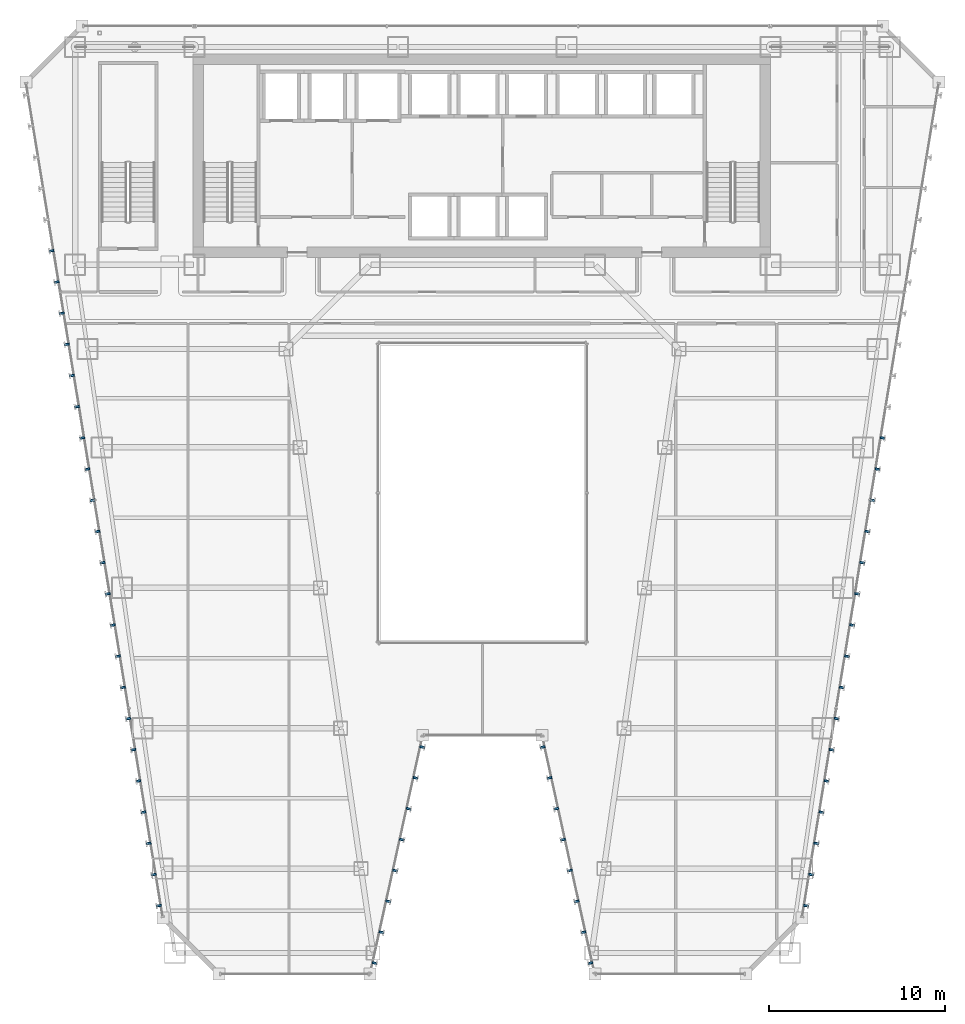
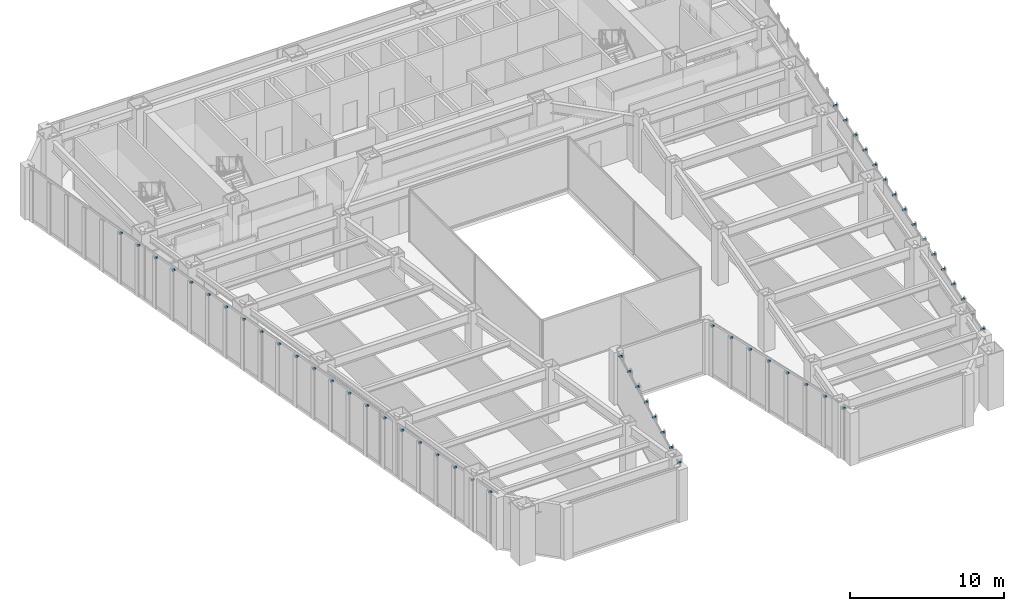
# One storey, part 39 of 49: 54 discrete accessories.
"""IFC4 building model written with IfcOpenShell, lengths in metres."""

import ifcopenshell
import ifcopenshell.guid

model = None  # the IFC model being written
_history = None  # IfcOwnerHistory: only IFC2X3 demands one
_inside = {}  # id of a spatial element -> (the spatial element, [elements in it])
_under = {}  # id of a project, library or spatial element -> (it, [spatial elements below it])
_declared = {}  # id of a project -> (the project, [libraries it declares])
_typed = {}  # id of a type object -> (the type object, [elements of that type])
_made_of = {}  # id of a material, layer set ... -> (it, [elements and type objects made of it])


def new_model(schema):
    """Start an empty IFC model of exactly this schema.

    Asked for "IFC4X3", IfcOpenShell would pick the latest addendum, in which some entities
    have other attributes; the version numbers below select the first issue.
    IFC2X3 requires an IfcOwnerHistory on every rooted entity: one is made here for all.
    """
    global model, _history
    if schema == "IFC4X3":
        model = ifcopenshell.file(schema_version=(4, 3, 0, 0))
    else:
        model = ifcopenshell.file(schema=schema)
    _inside.clear()
    _under.clear()
    _declared.clear()
    _typed.clear()
    _made_of.clear()
    _history = None
    if model.schema == "IFC2X3":
        org = make("IfcOrganization", Name="unknown")
        user = make(
            "IfcPersonAndOrganization",
            ThePerson=make("IfcPerson", FamilyName="unknown"),
            TheOrganization=org,
        )
        app = make(
            "IfcApplication",
            ApplicationDeveloper=org,
            Version="unknown",
            ApplicationFullName="unknown",
            ApplicationIdentifier="unknown",
        )
        _history = make(
            "IfcOwnerHistory",
            OwningUser=user,
            OwningApplication=app,
            ChangeAction="ADDED",
            CreationDate=0,
        )
    return model


def make(cls, **values):
    """One entity of the class cls with the attributes given. An attribute that is None is left unset."""
    return model.create_entity(
        cls, **{name: value for name, value in values.items() if value is not None}
    )


def rooted(cls, **values):
    """An entity with a GlobalId (a new one), such as an element, a storey or a relation."""
    return make(cls, GlobalId=ifcopenshell.guid.new(), OwnerHistory=_history, **values)


def si_unit(unit_type, name, prefix=None):
    """IfcSIUnit, for example si_unit("LENGTHUNIT", "METRE", prefix="MILLI")."""
    return make("IfcSIUnit", UnitType=unit_type, Prefix=prefix, Name=name)


def assignment(units):
    """IfcUnitAssignment: the units of a project."""
    return None if units is None else make("IfcUnitAssignment", Units=units)


def point(xyz):
    """IfcCartesianPoint."""
    return None if xyz is None else make("IfcCartesianPoint", Coordinates=xyz)


def direction(xyz):
    """IfcDirection."""
    return None if xyz is None else make("IfcDirection", DirectionRatios=xyz)


def frame(location, z_axis=None, x_axis=None):
    """IfcAxis2Placement3D, a coordinate frame: its origin and axes. An axis left out is left unset."""
    return make(
        "IfcAxis2Placement3D",
        Location=point(location),
        Axis=direction(z_axis),
        RefDirection=direction(x_axis),
    )


def frame_2d(location, x_axis=None):
    """IfcAxis2Placement2D, a coordinate frame in the plane: its origin and x axis."""
    return make(
        "IfcAxis2Placement2D", Location=point(location), RefDirection=direction(x_axis)
    )


def origin():
    """The frame at (0, 0, 0) with its axes left unset."""
    return frame((0.0, 0.0, 0.0))


def origin_2d():
    """The frame at (0, 0) in the plane with its x axis left unset."""
    return frame_2d((0.0, 0.0))


def place(relative_to, where):
    """IfcLocalPlacement: puts the frame where relative to a parent placement (None: the world)."""
    return make(
        "IfcLocalPlacement", PlacementRelTo=relative_to, RelativePlacement=where
    )


def context(
    kind, dimensions, precision=None, world=None, true_north=None, identifier=None
):
    """IfcGeometricRepresentationContext, for example the 3D "Model" context."""
    return make(
        "IfcGeometricRepresentationContext",
        ContextIdentifier=identifier,
        ContextType=kind,
        CoordinateSpaceDimension=dimensions,
        Precision=precision,
        WorldCoordinateSystem=world,
        TrueNorth=true_north,
    )


def subcontext(parent, identifier, kind, view, scale=None):
    """IfcGeometricRepresentationSubContext, for example "Body" below "Model"."""
    return make(
        "IfcGeometricRepresentationSubContext",
        ContextIdentifier=identifier,
        ContextType=kind,
        ParentContext=parent,
        TargetScale=scale,
        TargetView=view,
    )


def project(units=None, contexts=None):
    """IfcProject with its units and contexts."""
    return rooted(
        "IfcProject",
        Name="project",
        RepresentationContexts=contexts,
        UnitsInContext=assignment(units),
    )


def spatial(cls, under=None, at=None, **own):
    """A site, building, storey or space (cls), placed at a placement, below another one or the project."""
    s = rooted(cls, ObjectPlacement=at, **own)
    if under is not None:
        _under.setdefault(under.id(), (under, []))[1].append(s)
    return s


def profile(cls, at=None, kind="AREA", **sizes):
    """A parametric profile (cls). Its sizes go by their IFC names, for example OverallWidth=200.0."""
    return make(cls, ProfileType=kind, Position=at, **sizes)


def rectangle(**sizes):
    """IfcRectangleProfileDef."""
    return profile("IfcRectangleProfileDef", **sizes)


def extrude(swept, where, along, depth):
    """IfcExtrudedAreaSolid: the profile swept, set in the frame where, extruded along a direction by depth."""
    return make(
        "IfcExtrudedAreaSolid",
        SweptArea=swept,
        Position=where,
        ExtrudedDirection=direction(along),
        Depth=depth,
    )


def shape(context_of_items, identifier, shape_type, items):
    """IfcShapeRepresentation: the items that make up one representation, for example the "Body"."""
    return make(
        "IfcShapeRepresentation",
        ContextOfItems=context_of_items,
        RepresentationIdentifier=identifier,
        RepresentationType=shape_type,
        Items=items,
    )


def material(Name=None, Category=None):
    """IfcMaterial."""
    return make("IfcMaterial", Name=Name, Category=Category)


def layer(
    of_material, thickness, ventilated=None, Name=None, Category=None, Priority=None
):
    """IfcMaterialLayer: one layer of a wall or slab, of a material (None: an air gap)."""
    return make(
        "IfcMaterialLayer",
        Material=of_material,
        LayerThickness=thickness,
        IsVentilated=ventilated,
        Name=Name,
        Category=Category,
        Priority=Priority,
    )


def layer_set(layers, Name=None):
    """IfcMaterialLayerSet."""
    return make("IfcMaterialLayerSet", MaterialLayers=layers, LayerSetName=Name)


def made_of(thing, what):
    """Note that an element or type object is made of a material, layer set ...; save() writes the relation."""
    if what is not None:
        _made_of.setdefault(what.id(), (what, []))[1].append(thing)
    return thing


def type_object(cls, material=None, **own):
    """A type object (cls), such as IfcWallType, which elements share."""
    return made_of(rooted(cls, **own), material)


def element(
    cls,
    number,
    at=None,
    inside=None,
    cuts=None,
    type_object=None,
    material=None,
    context=None,
    identifier="Body",
    shape_type=None,
    held_by="IfcProductDefinitionShape",
    body=None,
    shapes=None,
    **own,
):
    """One element of the class cls, such as IfcWall. Its Tag is "e" and its number.

    at: its placement. inside: the storey or other place that contains it. cuts: it is an
    opening in that element (IfcRelVoidsElement). A single representation is given by context,
    identifier, shape_type and body (its items); several are given by shapes. held_by: the class
    of the entity that holds the representations. save() writes the other relations.
    """
    e = rooted(cls, Tag="e%d" % number, ObjectPlacement=at, **own)
    if body is not None:
        shapes = [shape(context, identifier, shape_type, body)]
    if shapes is not None:
        e.Representation = make(held_by, Representations=shapes)
    if inside is not None:
        _inside.setdefault(inside.id(), (inside, []))[1].append(e)
    if cuts is not None:
        rooted(
            "IfcRelVoidsElement", RelatingBuildingElement=cuts, RelatedOpeningElement=e
        )
    if type_object is not None:
        _typed.setdefault(type_object.id(), (type_object, []))[1].append(e)
    return made_of(e, material)


def aggregate(whole, parts):
    """IfcRelAggregates: a whole, such as a stair, and the parts it consists of."""
    return rooted("IfcRelAggregates", RelatingObject=whole, RelatedObjects=parts)


def save(model, path):
    """Write the relations noted so far, then the file.

    IfcRelAggregates (storeys below a building ...), IfcRelContainedInSpatialStructure (elements
    in a storey), IfcRelDefinesByType, IfcRelAssociatesMaterial and IfcRelDeclares: one each for
    every whole, place, type object, material and project.
    """
    for whole, parts in _under.values():
        aggregate(whole, parts)
    for where, things in _inside.values():
        rooted(
            "IfcRelContainedInSpatialStructure",
            RelatedElements=things,
            RelatingStructure=where,
        )
    for kind, things in _typed.values():
        rooted("IfcRelDefinesByType", RelatedObjects=things, RelatingType=kind)
    for what, things in _made_of.values():
        rooted("IfcRelAssociatesMaterial", RelatedObjects=things, RelatingMaterial=what)
    for by, libraries in _declared.values():
        rooted("IfcRelDeclares", RelatingContext=by, RelatedDefinitions=libraries)
    model.write(path)


model = new_model("IFC4")

# Units and contexts
model_context = context("Model", 3, precision=1e-05, world=origin(), true_north=direction((0.0, 1.0)))
body_context = subcontext(model_context, "Body", "Model", "MODEL_VIEW")
ifc_project = project(units=[si_unit("LENGTHUNIT", "METRE"), si_unit("AREAUNIT", "SQUARE_METRE"), si_unit("VOLUMEUNIT", "CUBIC_METRE"), si_unit("PLANEANGLEUNIT", "RADIAN"), si_unit("MASSUNIT", "GRAM", prefix="KILO")], contexts=[model_context])

# Site, building, storey
site_placement = place(None, origin())
site = spatial("IfcSite", under=ifc_project, at=site_placement, CompositionType="ELEMENT")
building_placement = place(site_placement, origin())
building = spatial("IfcBuilding", under=site, at=building_placement, Name="Saevonmaru Cultural Tower", CompositionType="ELEMENT")
storey_placement = place(building_placement, frame((0.0, 0.0, 73.60009765625)))
storey = spatial("IfcBuildingStorey", under=building, at=storey_placement, Name="L15", CompositionType="ELEMENT", Elevation=73.60009765625)

# Discrete accessories
ifc_material = material(Name="Stainless Steel 316", Category="steel")
ifc_layer = layer(ifc_material, 0.1201171875, Name="Stainless Steel 316")
ifc_layer_set = layer_set([ifc_layer], Name="Stainless Steel 316")
discrete_accessory_type = type_object("IfcDiscreteAccessoryType", Name="ACC-FIN-BRKT", PredefinedType="BRACKET", material=ifc_layer_set)
for number, where, z_axis, x_axis, name in (
    (1, (23.850341796875, 2.624267578125, 3.929931640625), (0.0, 0.0, 1.0), (0.976522126798, -0.215417120661, 0.0), "L15 Bronze Fin Bracket E3-01"),
    (2, (24.238037109375, 4.3818359375, 3.929931640625), (0.0, 0.0, 1.0), (0.976522126798, -0.215417120661, 0.0), "L15 Bronze Fin Bracket E3-02"),
    (3, (24.625732421875, 6.1396484375, 3.929931640625), (0.0, 0.0, 1.0), (0.976522126798, -0.215417120661, 0.0), "L15 Bronze Fin Bracket E3-03"),
    (4, (25.013427734375, 7.8974609375, 3.929931640625), (0.0, 0.0, 1.0), (0.976522126798, -0.215417120661, 0.0), "L15 Bronze Fin Bracket E3-04"),
    (5, (25.4013671875, 9.6552734375, 3.929931640625), (0.0, 0.0, 1.0), (0.976522126798, -0.215417120661, 0.0), "L15 Bronze Fin Bracket E3-05"),
    (6, (25.7890625, 11.412841796875, 3.929931640625), (0.0, 0.0, 1.0), (0.976522126798, -0.215417120661, 0.0), "L15 Bronze Fin Bracket E3-06"),
    (7, (26.1767578125, 13.170654296875, 3.929931640625), (0.0, 0.0, 1.0), (0.976522126798, -0.215417120661, 0.0), "L15 Bronze Fin Bracket E3-07"),
    (8, (26.564453125, 14.928466796875, 3.929931640625), (0.0, 0.0, 1.0), (0.976522126798, -0.215417120661, 0.0), "L15 Bronze Fin Bracket E3-08"),
    (9, (33.435546875, 14.928466796875, 3.929931640625), (0.0, 0.0, 1.0), (-0.976522126798, -0.215417120661, 0.0), "L15 Bronze Fin Bracket E5-01"),
    (10, (33.8232421875, 13.170654296875, 3.929931640625), (0.0, 0.0, 1.0), (-0.976522126798, -0.215417120661, 0.0), "L15 Bronze Fin Bracket E5-02"),
    (11, (34.2109375, 11.412841796875, 3.929931640625), (0.0, 0.0, 1.0), (-0.976522126798, -0.215417120661, 0.0), "L15 Bronze Fin Bracket E5-03"),
    (12, (34.5986328125, 9.6552734375, 3.929931640625), (0.0, 0.0, 1.0), (-0.976522126798, -0.215417120661, 0.0), "L15 Bronze Fin Bracket E5-04"),
    (13, (34.986572265625, 7.8974609375, 3.929931640625), (0.0, 0.0, 1.0), (-0.976522126798, -0.215417120661, 0.0), "L15 Bronze Fin Bracket E5-05"),
    (14, (35.374267578125, 6.1396484375, 3.929931640625), (0.0, 0.0, 1.0), (-0.976522126798, -0.215417120661, 0.0), "L15 Bronze Fin Bracket E5-06"),
    (15, (35.761962890625, 4.3818359375, 3.929931640625), (0.0, 0.0, 1.0), (-0.976522126798, -0.215417120661, 0.0), "L15 Bronze Fin Bracket E5-07"),
    (16, (36.149658203125, 2.624267578125, 3.929931640625), (0.0, 0.0, 1.0), (-0.976522126798, -0.215417120661, 0.0), "L15 Bronze Fin Bracket E5-08"),
    (17, (48.424560546875, 5.89013671875, 3.929931640625), (0.0, 0.0, 1.0), (0.986827496189, -0.161776057456, 0.0), "L15 Bronze Fin Bracket E8-01"),
    (18, (48.715576171875, 7.66650390625, 3.929931640625), (0.0, 0.0, 1.0), (0.986827496189, -0.161776057456, 0.0), "L15 Bronze Fin Bracket E8-02"),
    (19, (49.006591796875, 9.44287109375, 3.929931640625), (0.0, 0.0, 1.0), (0.986827496189, -0.161776057456, 0.0), "L15 Bronze Fin Bracket E8-03"),
    (20, (49.2978515625, 11.218994140625, 3.929931640625), (0.0, 0.0, 1.0), (0.986827496189, -0.161776057456, 0.0), "L15 Bronze Fin Bracket E8-04"),
    (21, (49.5888671875, 12.995361328125, 3.929931640625), (0.0, 0.0, 1.0), (0.986827496189, -0.161776057456, 0.0), "L15 Bronze Fin Bracket E8-05"),
    (22, (49.8798828125, 14.771728515625, 3.929931640625), (0.0, 0.0, 1.0), (0.986827496189, -0.161776057456, 0.0), "L15 Bronze Fin Bracket E8-06"),
    (23, (50.1708984375, 16.548095703125, 3.929931640625), (0.0, 0.0, 1.0), (0.986827496189, -0.161776057456, 0.0), "L15 Bronze Fin Bracket E8-07"),
    (24, (50.462158203125, 18.324462890625, 3.929931640625), (0.0, 0.0, 1.0), (0.986827496189, -0.161776057456, 0.0), "L15 Bronze Fin Bracket E8-08"),
    (25, (50.753173828125, 20.1005859375, 3.929931640625), (0.0, 0.0, 1.0), (0.986827496189, -0.161776057456, 0.0), "L15 Bronze Fin Bracket E8-09"),
    (26, (51.044189453125, 21.876953125, 3.929931640625), (0.0, 0.0, 1.0), (0.986827496189, -0.161776057456, 0.0), "L15 Bronze Fin Bracket E8-10"),
    (27, (51.335205078125, 23.6533203125, 3.929931640625), (0.0, 0.0, 1.0), (0.986827496189, -0.161776057456, 0.0), "L15 Bronze Fin Bracket E8-11"),
    (28, (51.62646484375, 25.4296875, 3.929931640625), (0.0, 0.0, 1.0), (0.986827496189, -0.161776057456, 0.0), "L15 Bronze Fin Bracket E8-12"),
    (29, (51.91748046875, 27.205810546875, 3.929931640625), (0.0, 0.0, 1.0), (0.986827496189, -0.161776057456, 0.0), "L15 Bronze Fin Bracket E8-13"),
    (30, (52.20849609375, 28.982177734375, 3.929931640625), (0.0, 0.0, 1.0), (0.986827496189, -0.161776057456, 0.0), "L15 Bronze Fin Bracket E8-14"),
    (31, (52.49951171875, 30.758544921875, 3.929931640625), (0.0, 0.0, 1.0), (0.986827496189, -0.161776057456, 0.0), "L15 Bronze Fin Bracket E8-15"),
    (32, (52.790771484375, 32.534912109375, 3.929931640625), (0.0, 0.0, 1.0), (0.986827496189, -0.161776057456, 0.0), "L15 Bronze Fin Bracket E8-16"),
    (33, (5.462890625, 43.192626953125, 3.929931640625), (0.0, 0.0, 1.0), (-0.986827496189, -0.161776057456, 0.0), "L15 Bronze Fin Bracket E12-06"),
    (34, (5.75390625, 41.41650390625, 3.929931640625), (0.0, 0.0, 1.0), (-0.986827496189, -0.161776057456, 0.0), "L15 Bronze Fin Bracket E12-07"),
    (35, (6.044921875, 39.64013671875, 3.929931640625), (0.0, 0.0, 1.0), (-0.986827496189, -0.161776057456, 0.0), "L15 Bronze Fin Bracket E12-08"),
    (36, (6.336181640625, 37.86376953125, 3.929931640625), (0.0, 0.0, 1.0), (-0.986827496189, -0.161776057456, 0.0), "L15 Bronze Fin Bracket E12-09"),
    (37, (6.627197265625, 36.08740234375, 3.929931640625), (0.0, 0.0, 1.0), (-0.986827496189, -0.161776057456, 0.0), "L15 Bronze Fin Bracket E12-10"),
    (38, (6.918212890625, 34.31103515625, 3.929931640625), (0.0, 0.0, 1.0), (-0.986827496189, -0.161776057456, 0.0), "L15 Bronze Fin Bracket E12-11"),
    (39, (7.209228515625, 32.534912109375, 3.929931640625), (0.0, 0.0, 1.0), (-0.986827496189, -0.161776057456, 0.0), "L15 Bronze Fin Bracket E12-12"),
    (40, (7.50048828125, 30.758544921875, 3.929931640625), (0.0, 0.0, 1.0), (-0.986827496189, -0.161776057456, 0.0), "L15 Bronze Fin Bracket E12-13"),
    (41, (7.79150390625, 28.982177734375, 3.929931640625), (0.0, 0.0, 1.0), (-0.986827496189, -0.161776057456, 0.0), "L15 Bronze Fin Bracket E12-14"),
    (42, (8.08251953125, 27.205810546875, 3.929931640625), (0.0, 0.0, 1.0), (-0.986827496189, -0.161776057456, 0.0), "L15 Bronze Fin Bracket E12-15"),
    (43, (8.37353515625, 25.4296875, 3.929931640625), (0.0, 0.0, 1.0), (-0.986827496189, -0.161776057456, 0.0), "L15 Bronze Fin Bracket E12-16"),
    (44, (8.664794921875, 23.6533203125, 3.929931640625), (0.0, 0.0, 1.0), (-0.986827496189, -0.161776057456, 0.0), "L15 Bronze Fin Bracket E12-17"),
    (45, (8.955810546875, 21.876953125, 3.929931640625), (0.0, 0.0, 1.0), (-0.986827496189, -0.161776057456, 0.0), "L15 Bronze Fin Bracket E12-18"),
    (46, (9.246826171875, 20.1005859375, 3.929931640625), (0.0, 0.0, 1.0), (-0.986827496189, -0.161776057456, 0.0), "L15 Bronze Fin Bracket E12-19"),
    (47, (9.537841796875, 18.324462890625, 3.929931640625), (0.0, 0.0, 1.0), (-0.986827496189, -0.161776057456, 0.0), "L15 Bronze Fin Bracket E12-20"),
    (48, (9.8291015625, 16.548095703125, 3.929931640625), (0.0, 0.0, 1.0), (-0.986827496189, -0.161776057456, 0.0), "L15 Bronze Fin Bracket E12-21"),
    (49, (10.1201171875, 14.771728515625, 3.929931640625), (0.0, 0.0, 1.0), (-0.986827496189, -0.161776057456, 0.0), "L15 Bronze Fin Bracket E12-22"),
    (50, (10.4111328125, 12.995361328125, 3.929931640625), (0.0, 0.0, 1.0), (-0.986827496189, -0.161776057456, 0.0), "L15 Bronze Fin Bracket E12-23"),
    (51, (10.7021484375, 11.218994140625, 3.929931640625), (0.0, 0.0, 1.0), (-0.986827496189, -0.161776057456, 0.0), "L15 Bronze Fin Bracket E12-24"),
    (52, (10.993408203125, 9.44287109375, 3.929931640625), (0.0, 0.0, 1.0), (-0.986827496189, -0.161776057456, 0.0), "L15 Bronze Fin Bracket E12-25"),
    (53, (11.284423828125, 7.66650390625, 3.929931640625), (0.0, 0.0, 1.0), (-0.986827496189, -0.161776057456, 0.0), "L15 Bronze Fin Bracket E12-26"),
    (54, (11.575439453125, 5.89013671875, 3.929931640625), (0.0, 0.0, 1.0), (-0.986827496189, -0.161776057456, 0.0), "L15 Bronze Fin Bracket E12-27"),
):
    element("IfcDiscreteAccessory", number, at=place(storey_placement, frame(where, z_axis=z_axis, x_axis=x_axis)), inside=storey, type_object=discrete_accessory_type, Name=name, PredefinedType="BRACKET", context=body_context, shape_type="SweptSolid", body=[
        extrude(rectangle(XDim=0.260009765625, YDim=0.1201171875, at=origin_2d()), origin(), (0.0, 0.0, 1.0), 0.1201171875),
    ])

save(model, "model.ifc")
